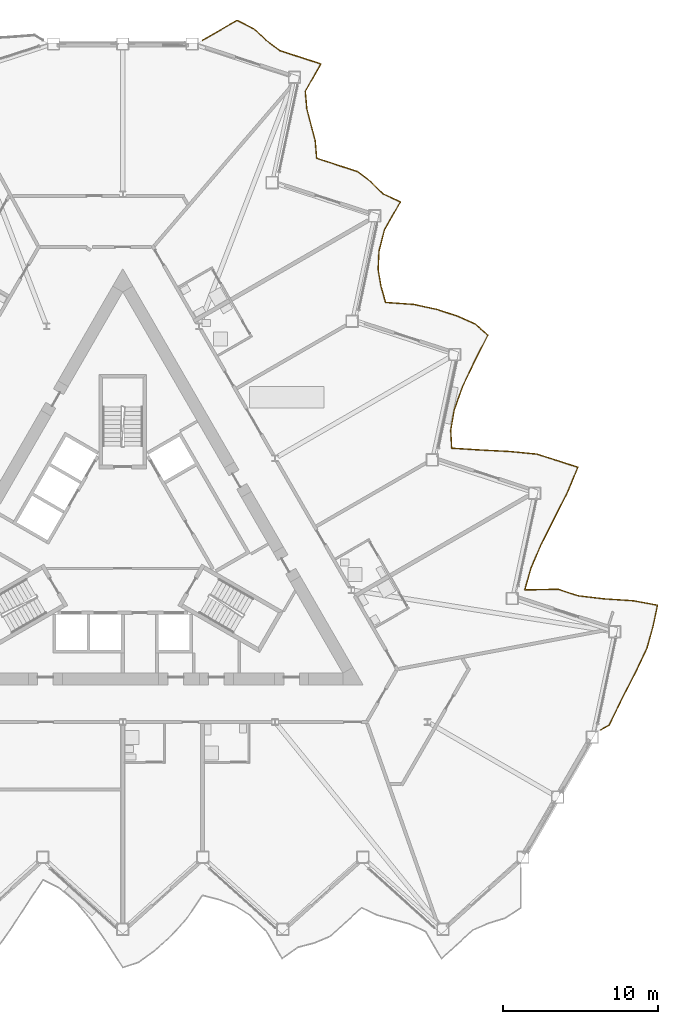
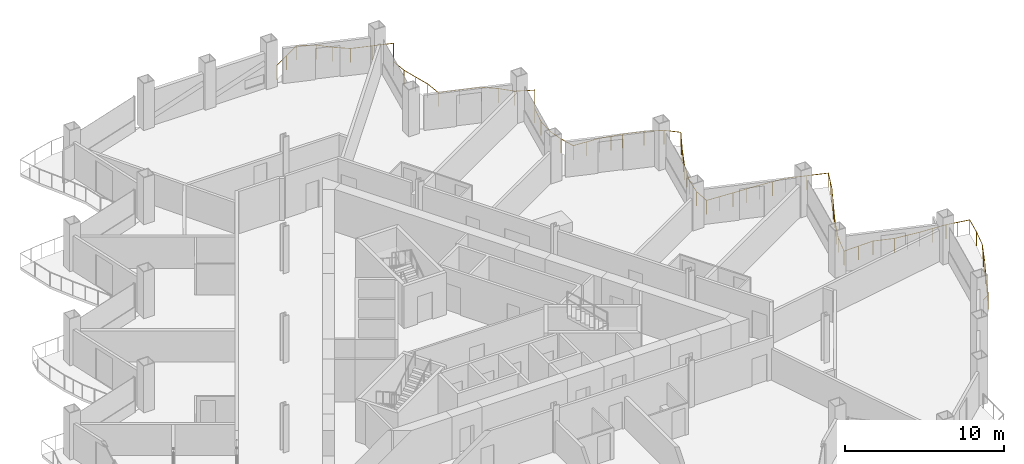
# One storey, part 20 of 22: 1 railing.
"""IFC4 building model written with IfcOpenShell, lengths in metres."""

from ifc_helpers import new_model, si_unit, direction, frame, origin, origin_2d, place, context, subcontext, project, spatial, circle, extrude, material, type_object, element, save


model = new_model("IFC4")

# Units and contexts
model_context = context("Model", 3, precision=1e-05, world=origin(), true_north=direction((0.0, 1.0)))
body_context = subcontext(model_context, "Body", "Model", "MODEL_VIEW")
ifc_project = project(units=[si_unit("LENGTHUNIT", "METRE"), si_unit("AREAUNIT", "SQUARE_METRE"), si_unit("VOLUMEUNIT", "CUBIC_METRE"), si_unit("PLANEANGLEUNIT", "RADIAN"), si_unit("MASSUNIT", "GRAM", prefix="KILO")], contexts=[model_context])

# Site, building, storey
site_placement = place(None, origin())
site = spatial("IfcSite", under=ifc_project, at=site_placement, CompositionType="ELEMENT")
building_placement = place(site_placement, origin())
building = spatial("IfcBuilding", under=site, at=building_placement, Name="Cormorant Prow Tower", CompositionType="ELEMENT")
storey_placement = place(building_placement, frame((0.0, 0.0, 190.800048828125)))
storey = spatial("IfcBuildingStorey", under=building, at=storey_placement, Name="L41", CompositionType="ELEMENT", Elevation=190.800048828125)

# Railing
ifc_material = material(Name="Aluminium 6063-T6", Category="aluminium")
railing_type = type_object("IfcRailingType", Name="Balcony guard 1100", PredefinedType="GUARDRAIL", material=ifc_material)
railing_placement = place(storey_placement, frame((30.84130859375, -11.861083984375, 0.0)))
element("IfcRailing", 1, at=railing_placement, inside=storey, type_object=railing_type, Name="Balcony guard ENE", PredefinedType="GUARDRAIL", context=body_context, shape_type="SweptSolid", body=[
    extrude(circle(Radius=0.02392578125, at=origin_2d()), frame((0.0, 0.0, 1.076171875), z_axis=(0.866038622153, 0.499977104415, 0.0), x_axis=(-0.499977104415, 0.866038622153, 0.0)), (0.0, 0.0, 1.0), 0.63623046875),
    extrude(circle(Radius=0.02392578125, at=origin_2d()), frame((0.551025390625, 0.318115234375, 1.076171875), z_axis=(0.434386355726, 0.900726647746, 0.0), x_axis=(-0.900726647746, 0.434386355726, 0.0)), (0.0, 0.0, 1.0), 1.826171875),
    extrude(circle(Radius=0.02392578125, at=origin_2d()), frame((1.34423828125, 1.962890625, 1.076171875), z_axis=(0.457321852197, 0.889301255764, 0.0), x_axis=(-0.889301255764, 0.457321852197, 0.0)), (0.0, 0.0, 1.0), 1.89794921875),
    extrude(circle(Radius=0.02392578125, at=origin_2d()), frame((2.212158203125, 3.650634765625, 1.076171875), z_axis=(0.428712717597, 0.903440870102, 0.0), x_axis=(-0.903440870102, 0.428712717597, 0.0)), (0.0, 0.0, 1.0), 1.809326171875),
    extrude(circle(Radius=0.02392578125, at=origin_2d()), frame((2.98779296875, 5.28515625, 1.076171875), z_axis=(0.265319371421, 0.964160583694, 0.0), x_axis=(-0.964160583694, 0.265319371421, 0.0)), (0.0, 0.0, 1.0), 1.463134765625),
    extrude(circle(Radius=0.02392578125, at=origin_2d()), frame((3.3759765625, 6.69580078125, 1.076171875), z_axis=(0.207780635717, 0.978175448179, 0.0), x_axis=(-0.978175448179, 0.207780635717, 0.0)), (0.0, 0.0, 1.0), 1.383056640625),
    extrude(circle(Radius=0.02392578125, at=origin_2d()), frame((3.663330078125, 8.048583984375, 1.076171875), z_axis=(-0.983041421692, 0.183383650408, 0.0), x_axis=(-0.183383650408, -0.983041421692, 0.0)), (0.0, 0.0, 1.0), 1.580322265625),
    extrude(circle(Radius=0.02392578125, at=origin_2d()), frame((2.10986328125, 8.33837890625, 1.076171875), z_axis=(-0.9979681925, 0.063714101724, 0.0), x_axis=(-0.063714101724, -0.9979681925, 0.0)), (0.0, 0.0, 1.0), 1.8544921875),
    extrude(circle(Radius=0.02392578125, at=origin_2d()), frame((0.259033203125, 8.45654296875, 1.076171875), z_axis=(-0.993301704928, 0.11554965594, 0.0), x_axis=(-0.11554965594, -0.993301704928, 0.0)), (0.0, 0.0, 1.0), 1.721923828125),
    extrude(circle(Radius=0.02392578125, at=origin_2d()), frame((-1.451416015625, 8.655517578125, 1.076171875), z_axis=(-0.951022391845, 0.309121998909, 0.0), x_axis=(-0.309121998909, -0.951022391845, 0.0)), (0.0, 0.0, 1.0), 1.3828125),
    extrude(circle(Radius=0.02392578125, at=origin_2d()), frame((-2.7666015625, 9.0830078125, 1.076171875), z_axis=(-0.999764166606, -0.021716610456, 0.0), x_axis=(0.021716610456, -0.999764166606, 0.0)), (0.0, 0.0, 1.0), 2.135986328125),
    extrude(circle(Radius=0.02392578125, at=origin_2d()), frame((-4.902099609375, 9.03662109375, 1.076171875), z_axis=(0.274284638474, 0.961648551758, 0.0), x_axis=(-0.961648551758, 0.274284638474, 0.0)), (0.0, 0.0, 1.0), 1.4775390625),
    extrude(circle(Radius=0.02392578125, at=origin_2d()), frame((-4.496826171875, 10.45751953125, 1.076171875), z_axis=(0.396365386796, 0.918092849417, 0.0), x_axis=(-0.918092849417, 0.396365386796, 0.0)), (0.0, 0.0, 1.0), 1.7216796875),
    extrude(circle(Radius=0.02392578125, at=origin_2d()), frame((-3.814453125, 12.0380859375, 1.076171875), z_axis=(0.45064577114, 0.892702855912, 0.0), x_axis=(-0.892702855912, 0.45064577114, 0.0)), (0.0, 0.0, 1.0), 1.876220703125),
    extrude(circle(Radius=0.02392578125, at=origin_2d()), frame((-2.968994140625, 13.712890625, 1.076171875), z_axis=(0.451522217854, 0.89225987626, 0.0), x_axis=(-0.89225987626, 0.451522217854, 0.0)), (0.0, 0.0, 1.0), 1.87890625),
    extrude(circle(Radius=0.02392578125, at=origin_2d()), frame((-2.12060546875, 15.389404296875, 1.076171875), z_axis=(0.382488079888, 0.923960425962, 0.0), x_axis=(-0.923960425962, 0.382488079888, 0.0)), (0.0, 0.0, 1.0), 1.687744140625),
    extrude(circle(Radius=0.02392578125, at=origin_2d()), frame((-1.47509765625, 16.94873046875, 1.076171875), z_axis=(-0.951074280921, 0.308962315131, 0.0), x_axis=(-0.308962315131, -0.951074280921, 0.0)), (0.0, 0.0, 1.0), 1.3828125),
    extrude(circle(Radius=0.02392578125, at=origin_2d()), frame((-2.790283203125, 17.3759765625, 1.076171875), z_axis=(-0.953178854012, 0.302407129981, 0.0), x_axis=(-0.302407129981, -0.953178854012, 0.0)), (0.0, 0.0, 1.0), 1.391845703125),
    extrude(circle(Radius=0.02392578125, at=origin_2d()), frame((-4.116943359375, 17.796875, 1.076171875), z_axis=(-0.995222994307, 0.097627821868, 0.0), x_axis=(-0.097627821868, -0.995222994307, 0.0)), (0.0, 0.0, 1.0), 1.765625),
    extrude(circle(Radius=0.02392578125, at=origin_2d()), frame((-5.8740234375, 17.96923828125, 1.076171875), z_axis=(-0.998698310981, 0.051006701944, 0.0), x_axis=(-0.051006701944, -0.998698310981, 0.0)), (0.0, 0.0, 1.0), 1.890625),
    extrude(circle(Radius=0.02392578125, at=origin_2d()), frame((-7.76220703125, 18.065673828125, 1.076171875), z_axis=(-0.998050532941, 0.062411006207, 0.0), x_axis=(-0.062411006207, -0.998050532941, 0.0)), (0.0, 0.0, 1.0), 1.858154296875),
    extrude(circle(Radius=0.02392578125, at=origin_2d()), frame((-9.61669921875, 18.181640625, 1.076171875), z_axis=(-0.054671928669, 0.998504371656, 0.0), x_axis=(-0.998504371656, -0.054671928669, 0.0)), (0.0, 0.0, 1.0), 1.152099609375),
    extrude(circle(Radius=0.02392578125, at=origin_2d()), frame((-9.6796875, 19.33203125, 1.076171875), z_axis=(0.169491002554, 0.985531734676, 0.0), x_axis=(-0.985531734676, 0.169491002554, 0.0)), (0.0, 0.0, 1.0), 1.336669921875),
    extrude(circle(Radius=0.02392578125, at=origin_2d()), frame((-9.453125, 20.6494140625, 1.076171875), z_axis=(0.336365626232, 0.941731472071, 0.0), x_axis=(-0.941731472071, 0.336365626232, 0.0)), (0.0, 0.0, 1.0), 1.58740234375),
    extrude(circle(Radius=0.02392578125, at=origin_2d()), frame((-8.919189453125, 22.144287109375, 1.076171875), z_axis=(0.426800368359, 0.90434586612, 0.0), x_axis=(-0.90434586612, 0.426800368359, 0.0)), (0.0, 0.0, 1.0), 1.80419921875),
    extrude(circle(Radius=0.02392578125, at=origin_2d()), frame((-8.149169921875, 23.77587890625, 1.076171875), z_axis=(0.45727242389, 0.889326672461, 0.0), x_axis=(-0.889326672461, 0.45727242389, 0.0)), (0.0, 0.0, 1.0), 1.8974609375),
    extrude(circle(Radius=0.02392578125, at=origin_2d()), frame((-7.281494140625, 25.46337890625, 1.076171875), z_axis=(-0.74423652766, 0.667916155588, 0.0), x_axis=(-0.667916155588, -0.74423652766, 0.0)), (0.0, 0.0, 1.0), 1.081298828125),
    extrude(circle(Radius=0.02392578125, at=origin_2d()), frame((-8.086181640625, 26.185546875, 1.076171875), z_axis=(-0.912808812193, 0.408387159914, 0.0), x_axis=(-0.408387159914, -0.912808812193, 0.0)), (0.0, 0.0, 1.0), 1.2685546875),
    extrude(circle(Radius=0.02392578125, at=origin_2d()), frame((-9.244140625, 26.70361328125, 1.076171875), z_axis=(-0.951022391845, 0.309121998909, 0.0), x_axis=(-0.309121998909, -0.951022391845, 0.0)), (0.0, 0.0, 1.0), 1.3828125),
    extrude(circle(Radius=0.02392578125, at=origin_2d()), frame((-10.559326171875, 27.131103515625, 1.076171875), z_axis=(-0.976963635806, 0.21340584414, 0.0), x_axis=(-0.21340584414, -0.976963635806, 0.0)), (0.0, 0.0, 1.0), 1.526123046875),
    extrude(circle(Radius=0.02392578125, at=origin_2d()), frame((-12.05029296875, 27.456787109375, 1.076171875), z_axis=(-0.997534369875, 0.070179633217, 0.0), x_axis=(-0.070179633217, -0.997534369875, 0.0)), (0.0, 0.0, 1.0), 1.8369140625),
    extrude(circle(Radius=0.02392578125, at=origin_2d()), frame((-13.882568359375, 27.585693359375, 1.076171875), z_axis=(-0.275421186292, 0.961323655249, 0.0), x_axis=(-0.961323655249, -0.275421186292, 0.0)), (0.0, 0.0, 1.0), 1.059326171875),
    extrude(circle(Radius=0.02392578125, at=origin_2d()), frame((-14.17431640625, 28.60400390625, 1.076171875), z_axis=(-0.171303521902, 0.9852183024, 0.0), x_axis=(-0.9852183024, -0.171303521902, 0.0)), (0.0, 0.0, 1.0), 1.094482421875),
    extrude(circle(Radius=0.02392578125, at=origin_2d()), frame((-14.36181640625, 29.682373046875, 1.076171875), z_axis=(0.044063016399, 0.999028753633, 0.0), x_axis=(-0.999028753633, 0.044063016399, 0.0)), (0.0, 0.0, 1.0), 1.218994140625),
    extrude(circle(Radius=0.02392578125, at=origin_2d()), frame((-14.30810546875, 30.900146484375, 1.076171875), z_axis=(0.251091426496, 0.967963375103, 0.0), x_axis=(-0.967963375103, 0.251091426496, 0.0)), (0.0, 0.0, 1.0), 1.44189453125),
    extrude(circle(Radius=0.02392578125, at=origin_2d()), frame((-13.946044921875, 32.2958984375, 1.076171875), z_axis=(0.499300137571, 0.866429092668, 0.0), x_axis=(-0.866429092668, 0.499300137571, 0.0)), (0.0, 0.0, 1.0), 2.05224609375),
    extrude(circle(Radius=0.02392578125, at=origin_2d()), frame((-12.92138671875, 34.073974609375, 1.076171875), z_axis=(-0.909342661142, 0.416047983563, 0.0), x_axis=(-0.416047983563, -0.909342661142, 0.0)), (0.0, 0.0, 1.0), 1.260986328125),
    extrude(circle(Radius=0.02392578125, at=origin_2d()), frame((-14.068115234375, 34.5986328125, 1.076171875), z_axis=(-0.70133476746, 0.712832058729, 0.0), x_axis=(-0.712832058729, -0.70133476746, 0.0)), (0.0, 0.0, 1.0), 1.061767578125),
    extrude(circle(Radius=0.02392578125, at=origin_2d()), frame((-14.812744140625, 35.35546875, 1.076171875), z_axis=(-0.794787042108, 0.606888422774, 0.0), x_axis=(-0.606888422774, -0.794787042108, 0.0)), (0.0, 0.0, 1.0), 1.113525390625),
    extrude(circle(Radius=0.02392578125, at=origin_2d()), frame((-15.69775390625, 36.03125, 1.076171875), z_axis=(-0.951091129726, 0.308910444881, 0.0), x_axis=(-0.308910444881, -0.951091129726, 0.0)), (0.0, 0.0, 1.0), 1.383056640625),
    extrude(circle(Radius=0.02392578125, at=origin_2d()), frame((-17.01318359375, 36.45849609375, 1.076171875), z_axis=(-0.951022391845, 0.309121998909, 0.0), x_axis=(-0.309121998909, -0.951022391845, 0.0)), (0.0, 0.0, 1.0), 1.3828125),
    extrude(circle(Radius=0.02392578125, at=origin_2d()), frame((-18.328369140625, 36.885986328125, 1.076171875), z_axis=(-0.08139248574, 0.996682127494, 0.0), x_axis=(-0.996682127494, -0.08139248574, 0.0)), (0.0, 0.0, 1.0), 1.13671875),
    extrude(circle(Radius=0.02392578125, at=origin_2d()), frame((-18.4208984375, 38.01904296875, 1.076171875), z_axis=(-0.260105197921, 0.965580284603, 0.0), x_axis=(-0.965580284603, -0.260105197921, 0.0)), (0.0, 0.0, 1.0), 1.0634765625),
    extrude(circle(Radius=0.02392578125, at=origin_2d()), frame((-18.697509765625, 39.0458984375, 1.076171875), z_axis=(-0.249905704355, 0.968270178685, 0.0), x_axis=(-0.968270178685, -0.249905704355, 0.0)), (0.0, 0.0, 1.0), 1.06689453125),
    extrude(circle(Radius=0.02392578125, at=origin_2d()), frame((-18.964111328125, 40.078857421875, 1.076171875), z_axis=(-0.08562691727, 0.99632727105, 0.0), x_axis=(-0.99632727105, -0.08562691727, 0.0)), (0.0, 0.0, 1.0), 1.134765625),
    extrude(circle(Radius=0.02392578125, at=origin_2d()), frame((-19.061279296875, 41.20947265625, 1.076171875), z_axis=(0.493519437528, 0.869734766916, 0.0), x_axis=(-0.869734766916, 0.493519437528, 0.0)), (0.0, 0.0, 1.0), 2.029296875),
    extrude(circle(Radius=0.02392578125, at=origin_2d()), frame((-18.059814453125, 42.974365234375, 1.076171875), z_axis=(-0.951074280921, 0.308962315131, 0.0), x_axis=(-0.308962315131, -0.951074280921, 0.0)), (0.0, 0.0, 1.0), 1.3828125),
    extrude(circle(Radius=0.02392578125, at=origin_2d()), frame((-19.375, 43.401611328125, 1.076171875), z_axis=(-0.951039257151, 0.309070107511, 0.0), x_axis=(-0.309070107511, -0.951039257151, 0.0)), (0.0, 0.0, 1.0), 1.383056640625),
    extrude(circle(Radius=0.02392578125, at=origin_2d()), frame((-20.6904296875, 43.8291015625, 1.076171875), z_axis=(-0.800235879929, 0.599685364566, 0.0), x_axis=(-0.599685364566, -0.800235879929, 0.0)), (0.0, 0.0, 1.0), 1.117431640625),
    extrude(circle(Radius=0.02392578125, at=origin_2d()), frame((-21.584716796875, 44.499267578125, 1.076171875), z_axis=(-0.730889032015, 0.682496317119, 0.0), x_axis=(-0.682496317119, -0.730889032015, 0.0)), (0.0, 0.0, 1.0), 1.074462890625),
    extrude(circle(Radius=0.02392578125, at=origin_2d()), frame((-22.3701171875, 45.232666015625, 1.076171875), z_axis=(-0.892831454657, 0.450390934161, 0.0), x_axis=(-0.450390934161, -0.892831454657, 0.0)), (0.0, 0.0, 1.0), 1.228271484375),
    extrude(circle(Radius=0.02392578125, at=origin_2d()), frame((-23.466796875, 45.785888671875, 1.076171875), z_axis=(-0.866054294558, -0.499949956374, 0.0), x_axis=(0.499949956374, -0.866054294558, 0.0)), (0.0, 0.0, 1.0), 2.570068359375),
    extrude(circle(Radius=0.02099609375, at=origin_2d()), origin(), (0.0, 0.0, 1.0), 1.052001953125),
    extrude(circle(Radius=0.02099609375, at=origin_2d()), frame((0.551025390625, 0.318115234375, 0.0)), (0.0, 0.0, 1.0), 1.052001953125),
    extrude(circle(Radius=0.02099609375, at=origin_2d()), frame((0.94775390625, 1.140625, 0.0)), (0.0, 0.0, 1.0), 1.052001953125),
    extrude(circle(Radius=0.02099609375, at=origin_2d()), frame((1.34423828125, 1.962890625, 0.0)), (0.0, 0.0, 1.0), 1.052001953125),
    extrude(circle(Radius=0.02099609375, at=origin_2d()), frame((1.7783203125, 2.806640625, 0.0)), (0.0, 0.0, 1.0), 1.052001953125),
    extrude(circle(Radius=0.02099609375, at=origin_2d()), frame((2.212158203125, 3.650634765625, 0.0)), (0.0, 0.0, 1.0), 1.052001953125),
    extrude(circle(Radius=0.02099609375, at=origin_2d()), frame((2.60009765625, 4.4677734375, 0.0)), (0.0, 0.0, 1.0), 1.052001953125),
    extrude(circle(Radius=0.02099609375, at=origin_2d()), frame((2.98779296875, 5.28515625, 0.0)), (0.0, 0.0, 1.0), 1.052001953125),
    extrude(circle(Radius=0.02099609375, at=origin_2d()), frame((3.3759765625, 6.69580078125, 0.0)), (0.0, 0.0, 1.0), 1.052001953125),
    extrude(circle(Radius=0.02099609375, at=origin_2d()), frame((3.663330078125, 8.048583984375, 0.0)), (0.0, 0.0, 1.0), 1.052001953125),
    extrude(circle(Radius=0.02099609375, at=origin_2d()), frame((2.88671875, 8.193359375, 0.0)), (0.0, 0.0, 1.0), 1.052001953125),
    extrude(circle(Radius=0.02099609375, at=origin_2d()), frame((2.10986328125, 8.33837890625, 0.0)), (0.0, 0.0, 1.0), 1.052001953125),
    extrude(circle(Radius=0.02099609375, at=origin_2d()), frame((1.1845703125, 8.3974609375, 0.0)), (0.0, 0.0, 1.0), 1.052001953125),
    extrude(circle(Radius=0.02099609375, at=origin_2d()), frame((0.259033203125, 8.45654296875, 0.0)), (0.0, 0.0, 1.0), 1.052001953125),
    extrude(circle(Radius=0.02099609375, at=origin_2d()), frame((-0.59619140625, 8.55615234375, 0.0)), (0.0, 0.0, 1.0), 1.052001953125),
    extrude(circle(Radius=0.02099609375, at=origin_2d()), frame((-1.451416015625, 8.655517578125, 0.0)), (0.0, 0.0, 1.0), 1.052001953125),
    extrude(circle(Radius=0.02099609375, at=origin_2d()), frame((-2.7666015625, 9.0830078125, 0.0)), (0.0, 0.0, 1.0), 1.052001953125),
    extrude(circle(Radius=0.02099609375, at=origin_2d()), frame((-3.83447265625, 9.059814453125, 0.0)), (0.0, 0.0, 1.0), 1.052001953125),
    extrude(circle(Radius=0.02099609375, at=origin_2d()), frame((-4.902099609375, 9.03662109375, 0.0)), (0.0, 0.0, 1.0), 1.052001953125),
    extrude(circle(Radius=0.02099609375, at=origin_2d()), frame((-4.496826171875, 10.45751953125, 0.0)), (0.0, 0.0, 1.0), 1.052001953125),
    extrude(circle(Radius=0.02099609375, at=origin_2d()), frame((-4.15576171875, 11.247802734375, 0.0)), (0.0, 0.0, 1.0), 1.052001953125),
    extrude(circle(Radius=0.02099609375, at=origin_2d()), frame((-3.814453125, 12.0380859375, 0.0)), (0.0, 0.0, 1.0), 1.052001953125),
    extrude(circle(Radius=0.02099609375, at=origin_2d()), frame((-3.3916015625, 12.87548828125, 0.0)), (0.0, 0.0, 1.0), 1.052001953125),
    extrude(circle(Radius=0.02099609375, at=origin_2d()), frame((-2.968994140625, 13.712890625, 0.0)), (0.0, 0.0, 1.0), 1.052001953125),
    extrude(circle(Radius=0.02099609375, at=origin_2d()), frame((-2.544921875, 14.55126953125, 0.0)), (0.0, 0.0, 1.0), 1.052001953125),
    extrude(circle(Radius=0.02099609375, at=origin_2d()), frame((-2.12060546875, 15.389404296875, 0.0)), (0.0, 0.0, 1.0), 1.052001953125),
    extrude(circle(Radius=0.02099609375, at=origin_2d()), frame((-1.7978515625, 16.1689453125, 0.0)), (0.0, 0.0, 1.0), 1.052001953125),
    extrude(circle(Radius=0.02099609375, at=origin_2d()), frame((-1.47509765625, 16.94873046875, 0.0)), (0.0, 0.0, 1.0), 1.052001953125),
    extrude(circle(Radius=0.02099609375, at=origin_2d()), frame((-2.790283203125, 17.3759765625, 0.0)), (0.0, 0.0, 1.0), 1.052001953125),
    extrude(circle(Radius=0.02099609375, at=origin_2d()), frame((-4.116943359375, 17.796875, 0.0)), (0.0, 0.0, 1.0), 1.052001953125),
    extrude(circle(Radius=0.02099609375, at=origin_2d()), frame((-4.99560546875, 17.883056640625, 0.0)), (0.0, 0.0, 1.0), 1.052001953125),
    extrude(circle(Radius=0.02099609375, at=origin_2d()), frame((-5.8740234375, 17.96923828125, 0.0)), (0.0, 0.0, 1.0), 1.052001953125),
    extrude(circle(Radius=0.02099609375, at=origin_2d()), frame((-6.818115234375, 18.017578125, 0.0)), (0.0, 0.0, 1.0), 1.052001953125),
    extrude(circle(Radius=0.02099609375, at=origin_2d()), frame((-7.76220703125, 18.065673828125, 0.0)), (0.0, 0.0, 1.0), 1.052001953125),
    extrude(circle(Radius=0.02099609375, at=origin_2d()), frame((-8.689453125, 18.12353515625, 0.0)), (0.0, 0.0, 1.0), 1.052001953125),
    extrude(circle(Radius=0.02099609375, at=origin_2d()), frame((-9.61669921875, 18.181640625, 0.0)), (0.0, 0.0, 1.0), 1.052001953125),
    extrude(circle(Radius=0.02099609375, at=origin_2d()), frame((-9.6796875, 19.33203125, 0.0)), (0.0, 0.0, 1.0), 1.052001953125),
    extrude(circle(Radius=0.02099609375, at=origin_2d()), frame((-9.453125, 20.6494140625, 0.0)), (0.0, 0.0, 1.0), 1.052001953125),
    extrude(circle(Radius=0.02099609375, at=origin_2d()), frame((-9.18603515625, 21.39697265625, 0.0)), (0.0, 0.0, 1.0), 1.052001953125),
    extrude(circle(Radius=0.02099609375, at=origin_2d()), frame((-8.919189453125, 22.144287109375, 0.0)), (0.0, 0.0, 1.0), 1.052001953125),
    extrude(circle(Radius=0.02099609375, at=origin_2d()), frame((-8.5341796875, 22.9599609375, 0.0)), (0.0, 0.0, 1.0), 1.052001953125),
    extrude(circle(Radius=0.02099609375, at=origin_2d()), frame((-8.149169921875, 23.77587890625, 0.0)), (0.0, 0.0, 1.0), 1.052001953125),
    extrude(circle(Radius=0.02099609375, at=origin_2d()), frame((-7.71533203125, 24.61962890625, 0.0)), (0.0, 0.0, 1.0), 1.052001953125),
    extrude(circle(Radius=0.02099609375, at=origin_2d()), frame((-7.281494140625, 25.46337890625, 0.0)), (0.0, 0.0, 1.0), 1.052001953125),
    extrude(circle(Radius=0.02099609375, at=origin_2d()), frame((-8.086181640625, 26.185546875, 0.0)), (0.0, 0.0, 1.0), 1.052001953125),
    extrude(circle(Radius=0.02099609375, at=origin_2d()), frame((-9.244140625, 26.70361328125, 0.0)), (0.0, 0.0, 1.0), 1.052001953125),
    extrude(circle(Radius=0.02099609375, at=origin_2d()), frame((-10.559326171875, 27.131103515625, 0.0)), (0.0, 0.0, 1.0), 1.052001953125),
    extrude(circle(Radius=0.02099609375, at=origin_2d()), frame((-11.3046875, 27.2939453125, 0.0)), (0.0, 0.0, 1.0), 1.052001953125),
    extrude(circle(Radius=0.02099609375, at=origin_2d()), frame((-12.05029296875, 27.456787109375, 0.0)), (0.0, 0.0, 1.0), 1.052001953125),
    extrude(circle(Radius=0.02099609375, at=origin_2d()), frame((-12.96630859375, 27.521240234375, 0.0)), (0.0, 0.0, 1.0), 1.052001953125),
    extrude(circle(Radius=0.02099609375, at=origin_2d()), frame((-13.882568359375, 27.585693359375, 0.0)), (0.0, 0.0, 1.0), 1.052001953125),
    extrude(circle(Radius=0.02099609375, at=origin_2d()), frame((-14.17431640625, 28.60400390625, 0.0)), (0.0, 0.0, 1.0), 1.052001953125),
    extrude(circle(Radius=0.02099609375, at=origin_2d()), frame((-14.36181640625, 29.682373046875, 0.0)), (0.0, 0.0, 1.0), 1.052001953125),
    extrude(circle(Radius=0.02099609375, at=origin_2d()), frame((-14.30810546875, 30.900146484375, 0.0)), (0.0, 0.0, 1.0), 1.052001953125),
    extrude(circle(Radius=0.02099609375, at=origin_2d()), frame((-13.946044921875, 32.2958984375, 0.0)), (0.0, 0.0, 1.0), 1.052001953125),
    extrude(circle(Radius=0.02099609375, at=origin_2d()), frame((-13.43359375, 33.18505859375, 0.0)), (0.0, 0.0, 1.0), 1.052001953125),
    extrude(circle(Radius=0.02099609375, at=origin_2d()), frame((-12.92138671875, 34.073974609375, 0.0)), (0.0, 0.0, 1.0), 1.052001953125),
    extrude(circle(Radius=0.02099609375, at=origin_2d()), frame((-14.068115234375, 34.5986328125, 0.0)), (0.0, 0.0, 1.0), 1.052001953125),
    extrude(circle(Radius=0.02099609375, at=origin_2d()), frame((-14.812744140625, 35.35546875, 0.0)), (0.0, 0.0, 1.0), 1.052001953125),
    extrude(circle(Radius=0.02099609375, at=origin_2d()), frame((-15.69775390625, 36.03125, 0.0)), (0.0, 0.0, 1.0), 1.052001953125),
    extrude(circle(Radius=0.02099609375, at=origin_2d()), frame((-17.01318359375, 36.45849609375, 0.0)), (0.0, 0.0, 1.0), 1.052001953125),
    extrude(circle(Radius=0.02099609375, at=origin_2d()), frame((-18.328369140625, 36.885986328125, 0.0)), (0.0, 0.0, 1.0), 1.052001953125),
    extrude(circle(Radius=0.02099609375, at=origin_2d()), frame((-18.4208984375, 38.01904296875, 0.0)), (0.0, 0.0, 1.0), 1.052001953125),
    extrude(circle(Radius=0.02099609375, at=origin_2d()), frame((-18.697509765625, 39.0458984375, 0.0)), (0.0, 0.0, 1.0), 1.052001953125),
    extrude(circle(Radius=0.02099609375, at=origin_2d()), frame((-18.964111328125, 40.078857421875, 0.0)), (0.0, 0.0, 1.0), 1.052001953125),
    extrude(circle(Radius=0.02099609375, at=origin_2d()), frame((-19.061279296875, 41.20947265625, 0.0)), (0.0, 0.0, 1.0), 1.052001953125),
    extrude(circle(Radius=0.02099609375, at=origin_2d()), frame((-18.560546875, 42.091796875, 0.0)), (0.0, 0.0, 1.0), 1.052001953125),
    extrude(circle(Radius=0.02099609375, at=origin_2d()), frame((-18.059814453125, 42.974365234375, 0.0)), (0.0, 0.0, 1.0), 1.052001953125),
    extrude(circle(Radius=0.02099609375, at=origin_2d()), frame((-19.375, 43.401611328125, 0.0)), (0.0, 0.0, 1.0), 1.052001953125),
    extrude(circle(Radius=0.02099609375, at=origin_2d()), frame((-20.6904296875, 43.8291015625, 0.0)), (0.0, 0.0, 1.0), 1.052001953125),
    extrude(circle(Radius=0.02099609375, at=origin_2d()), frame((-21.584716796875, 44.499267578125, 0.0)), (0.0, 0.0, 1.0), 1.052001953125),
    extrude(circle(Radius=0.02099609375, at=origin_2d()), frame((-22.3701171875, 45.232666015625, 0.0)), (0.0, 0.0, 1.0), 1.052001953125),
    extrude(circle(Radius=0.02099609375, at=origin_2d()), frame((-23.466796875, 45.785888671875, 0.0)), (0.0, 0.0, 1.0), 1.052001953125),
    extrude(circle(Radius=0.02099609375, at=origin_2d()), frame((-24.57958984375, 45.1435546875, 0.0)), (0.0, 0.0, 1.0), 1.052001953125),
    extrude(circle(Radius=0.02099609375, at=origin_2d()), frame((-25.692626953125, 44.5009765625, 0.0)), (0.0, 0.0, 1.0), 1.052001953125),
])

save(model, "model.ifc")
